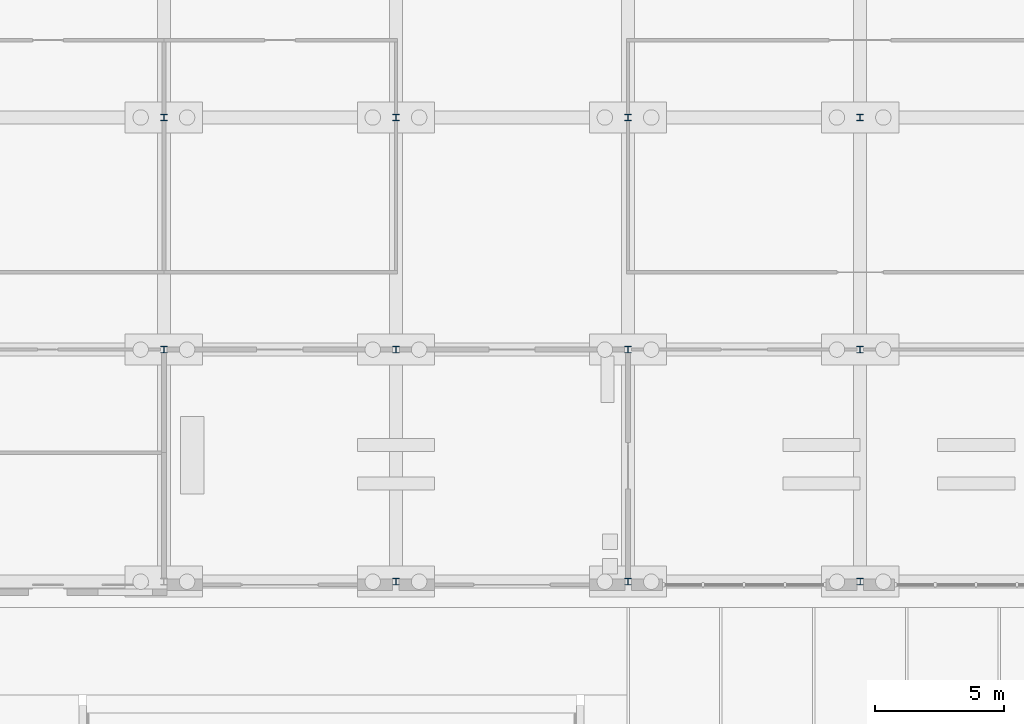
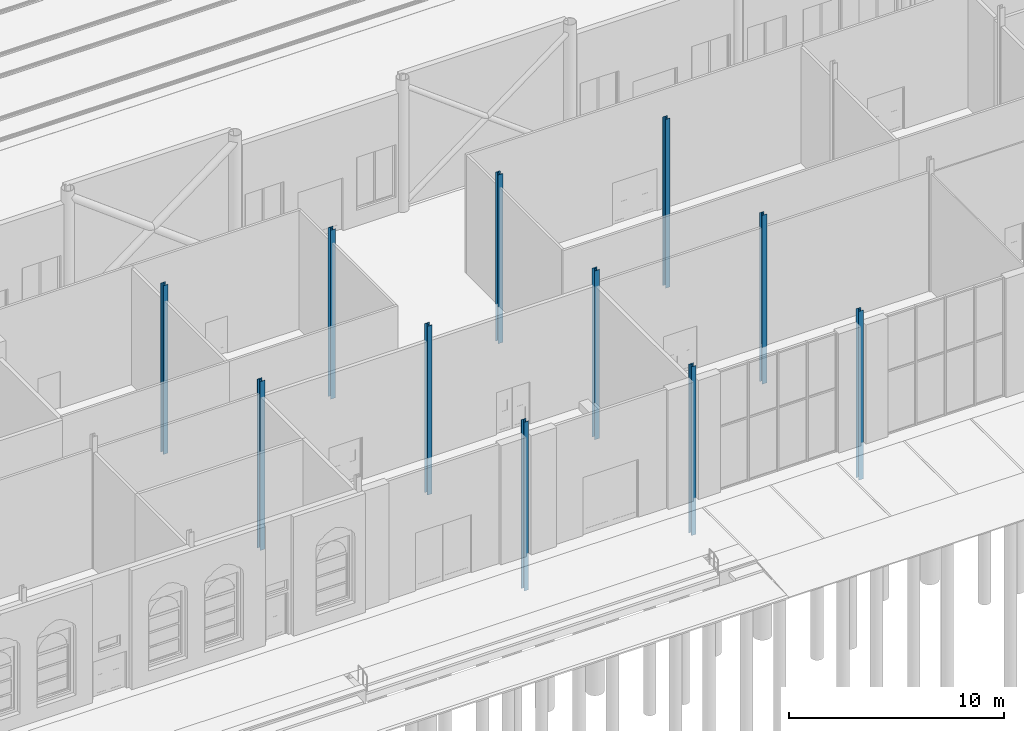
# One storey, part 11 of 250: 11 columns.
"""IFC4 building model written with IfcOpenShell, lengths in metres."""

import ifcopenshell
import ifcopenshell.guid

model = None  # the IFC model being written
_history = None  # IfcOwnerHistory: only IFC2X3 demands one
_inside = {}  # id of a spatial element -> (the spatial element, [elements in it])
_under = {}  # id of a project, library or spatial element -> (it, [spatial elements below it])
_declared = {}  # id of a project -> (the project, [libraries it declares])
_typed = {}  # id of a type object -> (the type object, [elements of that type])
_made_of = {}  # id of a material, layer set ... -> (it, [elements and type objects made of it])


def new_model(schema):
    """Start an empty IFC model of exactly this schema.

    Asked for "IFC4X3", IfcOpenShell would pick the latest addendum, in which some entities
    have other attributes; the version numbers below select the first issue.
    IFC2X3 requires an IfcOwnerHistory on every rooted entity: one is made here for all.
    """
    global model, _history
    if schema == "IFC4X3":
        model = ifcopenshell.file(schema_version=(4, 3, 0, 0))
    else:
        model = ifcopenshell.file(schema=schema)
    _inside.clear()
    _under.clear()
    _declared.clear()
    _typed.clear()
    _made_of.clear()
    _history = None
    if model.schema == "IFC2X3":
        org = make("IfcOrganization", Name="unknown")
        user = make(
            "IfcPersonAndOrganization",
            ThePerson=make("IfcPerson", FamilyName="unknown"),
            TheOrganization=org,
        )
        app = make(
            "IfcApplication",
            ApplicationDeveloper=org,
            Version="unknown",
            ApplicationFullName="unknown",
            ApplicationIdentifier="unknown",
        )
        _history = make(
            "IfcOwnerHistory",
            OwningUser=user,
            OwningApplication=app,
            ChangeAction="ADDED",
            CreationDate=0,
        )
    return model


def make(cls, **values):
    """One entity of the class cls with the attributes given. An attribute that is None is left unset."""
    return model.create_entity(
        cls, **{name: value for name, value in values.items() if value is not None}
    )


def rooted(cls, **values):
    """An entity with a GlobalId (a new one), such as an element, a storey or a relation."""
    return make(cls, GlobalId=ifcopenshell.guid.new(), OwnerHistory=_history, **values)


def si_unit(unit_type, name, prefix=None):
    """IfcSIUnit, for example si_unit("LENGTHUNIT", "METRE", prefix="MILLI")."""
    return make("IfcSIUnit", UnitType=unit_type, Prefix=prefix, Name=name)


def assignment(units):
    """IfcUnitAssignment: the units of a project."""
    return None if units is None else make("IfcUnitAssignment", Units=units)


def point(xyz):
    """IfcCartesianPoint."""
    return None if xyz is None else make("IfcCartesianPoint", Coordinates=xyz)


def direction(xyz):
    """IfcDirection."""
    return None if xyz is None else make("IfcDirection", DirectionRatios=xyz)


def frame(location, z_axis=None, x_axis=None):
    """IfcAxis2Placement3D, a coordinate frame: its origin and axes. An axis left out is left unset."""
    return make(
        "IfcAxis2Placement3D",
        Location=point(location),
        Axis=direction(z_axis),
        RefDirection=direction(x_axis),
    )


def frame_2d(location, x_axis=None):
    """IfcAxis2Placement2D, a coordinate frame in the plane: its origin and x axis."""
    return make(
        "IfcAxis2Placement2D", Location=point(location), RefDirection=direction(x_axis)
    )


def origin():
    """The frame at (0, 0, 0) with its axes left unset."""
    return frame((0.0, 0.0, 0.0))


def origin_2d():
    """The frame at (0, 0) in the plane with its x axis left unset."""
    return frame_2d((0.0, 0.0))


def place(relative_to, where):
    """IfcLocalPlacement: puts the frame where relative to a parent placement (None: the world)."""
    return make(
        "IfcLocalPlacement", PlacementRelTo=relative_to, RelativePlacement=where
    )


def context(
    kind, dimensions, precision=None, world=None, true_north=None, identifier=None
):
    """IfcGeometricRepresentationContext, for example the 3D "Model" context."""
    return make(
        "IfcGeometricRepresentationContext",
        ContextIdentifier=identifier,
        ContextType=kind,
        CoordinateSpaceDimension=dimensions,
        Precision=precision,
        WorldCoordinateSystem=world,
        TrueNorth=true_north,
    )


def subcontext(parent, identifier, kind, view, scale=None):
    """IfcGeometricRepresentationSubContext, for example "Body" below "Model"."""
    return make(
        "IfcGeometricRepresentationSubContext",
        ContextIdentifier=identifier,
        ContextType=kind,
        ParentContext=parent,
        TargetScale=scale,
        TargetView=view,
    )


def project(units=None, contexts=None):
    """IfcProject with its units and contexts."""
    return rooted(
        "IfcProject",
        Name="project",
        RepresentationContexts=contexts,
        UnitsInContext=assignment(units),
    )


def spatial(cls, under=None, at=None, **own):
    """A site, building, storey or space (cls), placed at a placement, below another one or the project."""
    s = rooted(cls, ObjectPlacement=at, **own)
    if under is not None:
        _under.setdefault(under.id(), (under, []))[1].append(s)
    return s


def profile(cls, at=None, kind="AREA", **sizes):
    """A parametric profile (cls). Its sizes go by their IFC names, for example OverallWidth=200.0."""
    return make(cls, ProfileType=kind, Position=at, **sizes)


def i_section(**sizes):
    """IfcIShapeProfileDef."""
    return profile("IfcIShapeProfileDef", **sizes)


def extrude(swept, where, along, depth):
    """IfcExtrudedAreaSolid: the profile swept, set in the frame where, extruded along a direction by depth."""
    return make(
        "IfcExtrudedAreaSolid",
        SweptArea=swept,
        Position=where,
        ExtrudedDirection=direction(along),
        Depth=depth,
    )


def shape(context_of_items, identifier, shape_type, items):
    """IfcShapeRepresentation: the items that make up one representation, for example the "Body"."""
    return make(
        "IfcShapeRepresentation",
        ContextOfItems=context_of_items,
        RepresentationIdentifier=identifier,
        RepresentationType=shape_type,
        Items=items,
    )


def material(Name=None, Category=None):
    """IfcMaterial."""
    return make("IfcMaterial", Name=Name, Category=Category)


def material_profile(
    of_material, cross_section, Name=None, Category=None, Priority=None
):
    """IfcMaterialProfile: a cross section and its material."""
    return make(
        "IfcMaterialProfile",
        Name=Name,
        Material=of_material,
        Profile=cross_section,
        Priority=Priority,
        Category=Category,
    )


def profile_set(profiles, Name=None, composite=None):
    """IfcMaterialProfileSet."""
    return make(
        "IfcMaterialProfileSet",
        Name=Name,
        MaterialProfiles=profiles,
        CompositeProfile=composite,
    )


def made_of(thing, what):
    """Note that an element or type object is made of a material, layer set ...; save() writes the relation."""
    if what is not None:
        _made_of.setdefault(what.id(), (what, []))[1].append(thing)
    return thing


def type_object(cls, material=None, **own):
    """A type object (cls), such as IfcWallType, which elements share."""
    return made_of(rooted(cls, **own), material)


def element(
    cls,
    number,
    at=None,
    inside=None,
    cuts=None,
    type_object=None,
    material=None,
    context=None,
    identifier="Body",
    shape_type=None,
    held_by="IfcProductDefinitionShape",
    body=None,
    shapes=None,
    **own,
):
    """One element of the class cls, such as IfcWall. Its Tag is "e" and its number.

    at: its placement. inside: the storey or other place that contains it. cuts: it is an
    opening in that element (IfcRelVoidsElement). A single representation is given by context,
    identifier, shape_type and body (its items); several are given by shapes. held_by: the class
    of the entity that holds the representations. save() writes the other relations.
    """
    e = rooted(cls, Tag="e%d" % number, ObjectPlacement=at, **own)
    if body is not None:
        shapes = [shape(context, identifier, shape_type, body)]
    if shapes is not None:
        e.Representation = make(held_by, Representations=shapes)
    if inside is not None:
        _inside.setdefault(inside.id(), (inside, []))[1].append(e)
    if cuts is not None:
        rooted(
            "IfcRelVoidsElement", RelatingBuildingElement=cuts, RelatedOpeningElement=e
        )
    if type_object is not None:
        _typed.setdefault(type_object.id(), (type_object, []))[1].append(e)
    return made_of(e, material)


def aggregate(whole, parts):
    """IfcRelAggregates: a whole, such as a stair, and the parts it consists of."""
    return rooted("IfcRelAggregates", RelatingObject=whole, RelatedObjects=parts)


def save(model, path):
    """Write the relations noted so far, then the file.

    IfcRelAggregates (storeys below a building ...), IfcRelContainedInSpatialStructure (elements
    in a storey), IfcRelDefinesByType, IfcRelAssociatesMaterial and IfcRelDeclares: one each for
    every whole, place, type object, material and project.
    """
    for whole, parts in _under.values():
        aggregate(whole, parts)
    for where, things in _inside.values():
        rooted(
            "IfcRelContainedInSpatialStructure",
            RelatedElements=things,
            RelatingStructure=where,
        )
    for kind, things in _typed.values():
        rooted("IfcRelDefinesByType", RelatedObjects=things, RelatingType=kind)
    for what, things in _made_of.values():
        rooted("IfcRelAssociatesMaterial", RelatedObjects=things, RelatingMaterial=what)
    for by, libraries in _declared.values():
        rooted("IfcRelDeclares", RelatingContext=by, RelatedDefinitions=libraries)
    model.write(path)


model = new_model("IFC4")

# Units and contexts
model_context = context("Model", 3, precision=1e-05, world=origin(), true_north=direction((0.0, 1.0)))
body_context = subcontext(model_context, "Body", "Model", "MODEL_VIEW")
ifc_project = project(units=[si_unit("LENGTHUNIT", "METRE"), si_unit("AREAUNIT", "SQUARE_METRE"), si_unit("VOLUMEUNIT", "CUBIC_METRE"), si_unit("PLANEANGLEUNIT", "RADIAN"), si_unit("MASSUNIT", "GRAM", prefix="KILO")], contexts=[model_context])

# Site, building, storey
site_placement = place(None, origin())
site = spatial("IfcSite", under=ifc_project, at=site_placement, CompositionType="ELEMENT")
building_placement = place(site_placement, origin())
building = spatial("IfcBuilding", under=site, at=building_placement, Name="Baradari Gate Terminus", CompositionType="ELEMENT")
storey_placement = place(building_placement, origin())
storey = spatial("IfcBuildingStorey", under=building, at=storey_placement, Name="L00", CompositionType="ELEMENT", Elevation=0.0)

# Columns
ifc_material_1 = material(Name="Steel S355", Category="steel")
ifc_material_profile_1 = material_profile(ifc_material_1, i_section(OverallWidth=0.25634765625, OverallDepth=0.26025390625, WebThickness=0.01025390625, FlangeThickness=0.017333984375, FilletRadius=0.0126953125, at=origin_2d()), Name="UC 254x254x89")
ifc_profile_set_1 = profile_set([ifc_material_profile_1], Name="Steel S355")
column_type_1 = type_object("IfcColumnType", Name="South wing column C04 UC 254x254x89", PredefinedType="COLUMN", material=ifc_profile_set_1)
for number, where, z_axis, x_axis, name in (
    (1, (99.0, 18.0, -2.10009765625), (0.0, 0.0, 1.0), (1.0, 0.0, 0.0), "C04 column 12-C L00"),
    (2, (99.0, 27.0, -2.10009765625), (0.0, 0.0, 1.0), (1.0, 0.0, 0.0), "C04 column 12-D L00"),
    (3, (108.0, 18.0, -2.10009765625), (0.0, 0.0, 1.0), (1.0, 0.0, 0.0), "C04 column 13-C L00"),
    (4, (108.0, 27.0, -2.10009765625), (0.0, 0.0, 1.0), (1.0, 0.0, 0.0), "C04 column 13-D L00"),
    (5, (117.0, 18.0, -2.10009765625), (0.0, 0.0, 1.0), (1.0, 0.0, 0.0), "C04 column 14-C L00"),
    (6, (117.0, 27.0, -2.10009765625), (0.0, 0.0, 1.0), (1.0, 0.0, 0.0), "C04 column 14-D L00"),
    (7, (126.0, 18.0, -2.10009765625), (0.0, 0.0, 1.0), (1.0, 0.0, 0.0), "C04 column 15-C L00"),
    (8, (126.0, 27.0, -2.10009765625), (0.0, 0.0, 1.0), (1.0, 0.0, 0.0), "C04 column 15-D L00"),
):
    element("IfcColumn", number, at=place(storey_placement, frame(where, z_axis=z_axis, x_axis=x_axis)), inside=storey, type_object=column_type_1, Name=name, PredefinedType="COLUMN", context=body_context, shape_type="SweptSolid", body=[
        extrude(i_section(OverallWidth=0.25634765625, OverallDepth=0.26025390625, WebThickness=0.01025390625, FlangeThickness=0.017333984375, FilletRadius=0.0126953125, at=origin_2d()), origin(), (0.0, 0.0, 1.0), 9.60009765625),
    ])
ifc_material_2 = material(Name="Steel S355", Category="steel")
ifc_material_profile_2 = material_profile(ifc_material_2, i_section(OverallWidth=0.254638671875, OverallDepth=0.254150390625, WebThickness=0.008544921875, FlangeThickness=0.01416015625, FilletRadius=0.0126953125, at=origin_2d()), Name="UC 254x254x73")
ifc_profile_set_2 = profile_set([ifc_material_profile_2], Name="Steel S355")
column_type_2 = type_object("IfcColumnType", Name="South wing facade column C03 UC 254x254x73", PredefinedType="COLUMN", material=ifc_profile_set_2)
for number, where, z_axis, x_axis, name in (
    (9, (108.0, 9.0, -2.10009765625), (0.0, 0.0, 1.0), (1.0, 0.0, 0.0), "C03 column 13-B L00"),
    (10, (117.0, 9.0, -2.10009765625), (0.0, 0.0, 1.0), (1.0, 0.0, 0.0), "C03 column 14-B L00"),
    (11, (126.0, 9.0, -2.10009765625), (0.0, 0.0, 1.0), (1.0, 0.0, 0.0), "C03 column 15-B L00"),
):
    element("IfcColumn", number, at=place(storey_placement, frame(where, z_axis=z_axis, x_axis=x_axis)), inside=storey, type_object=column_type_2, Name=name, PredefinedType="COLUMN", context=body_context, shape_type="SweptSolid", body=[
        extrude(i_section(OverallWidth=0.254638671875, OverallDepth=0.254150390625, WebThickness=0.008544921875, FlangeThickness=0.01416015625, FilletRadius=0.0126953125, at=origin_2d()), origin(), (0.0, 0.0, 1.0), 9.60009765625),
    ])

save(model, "model.ifc")
